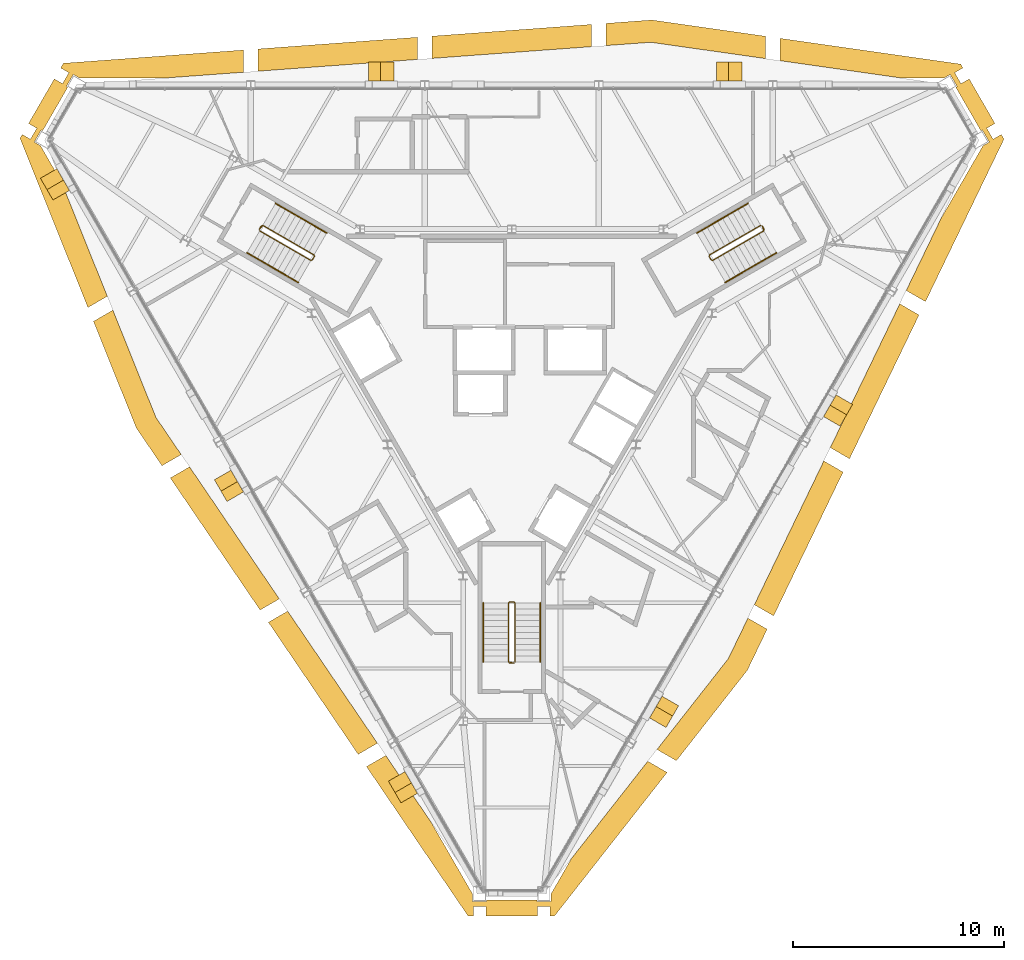
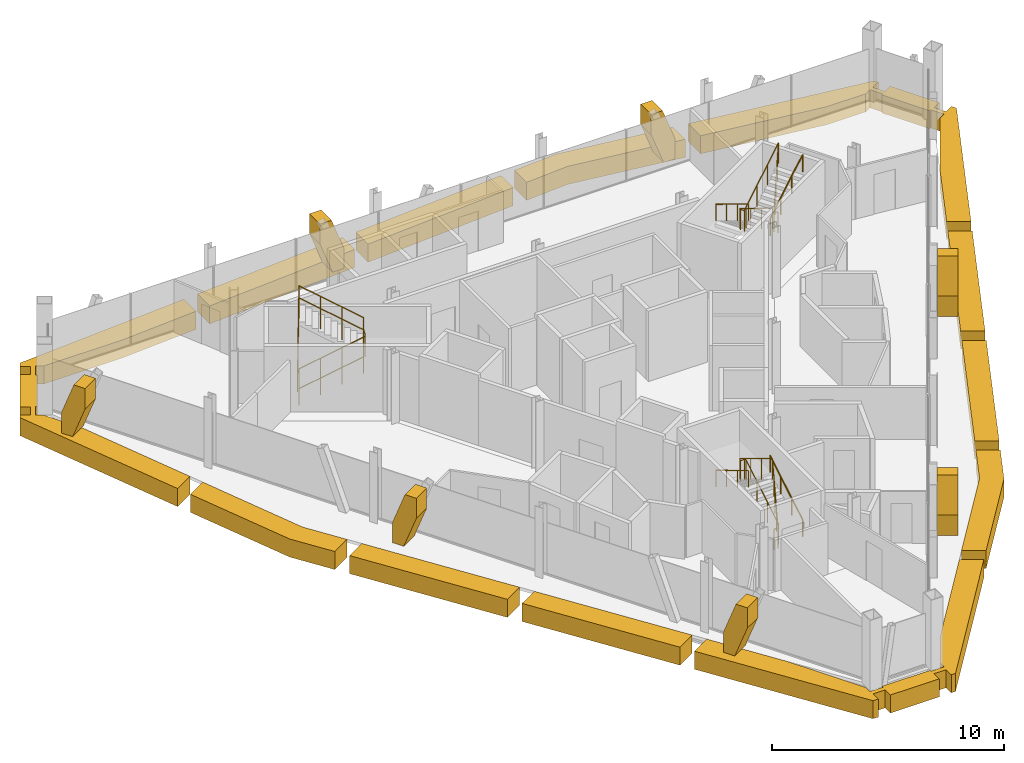
# One storey, part 11 of 11: 19 coverings, 9 railings.
"""IFC4 building model written with IfcOpenShell, lengths in metres."""

from ifc_helpers import new_model, si_unit, direction, frame, origin, origin_2d, place, context, subcontext, project, spatial, polyline, circle, outline, extrude, material, layer, layer_set, type_object, element, save


model = new_model("IFC4")

# Units and contexts
model_context = context("Model", 3, precision=1e-05, world=origin(), true_north=direction((0.0, 1.0)))
body_context = subcontext(model_context, "Body", "Model", "MODEL_VIEW")
ifc_project = project(units=[si_unit("LENGTHUNIT", "METRE"), si_unit("AREAUNIT", "SQUARE_METRE"), si_unit("VOLUMEUNIT", "CUBIC_METRE"), si_unit("PLANEANGLEUNIT", "RADIAN"), si_unit("MASSUNIT", "GRAM", prefix="KILO")], contexts=[model_context])

# Site, building, storey
site_placement = place(None, origin())
site = spatial("IfcSite", under=ifc_project, at=site_placement, CompositionType="ELEMENT")
building_placement = place(site_placement, origin())
building = spatial("IfcBuilding", under=site, at=building_placement, Name="Verrane Prism Tower", CompositionType="ELEMENT")
storey_placement = place(building_placement, frame((0.0, 0.0, 267.699951171875)))
storey = spatial("IfcBuildingStorey", under=building, at=storey_placement, Name="L67", CompositionType="ELEMENT", Elevation=267.699951171875)

# Railings
ifc_material_1 = material(Name="Steel A36 rail and posts, no infill", Category="steel")
railing_type_1 = type_object("IfcRailingType", Name="Stair guard 1100 steel rail and posts", PredefinedType="GUARDRAIL", material=ifc_material_1)
railing_1_placement = place(storey_placement, frame((11.78955078125, 6.97998046875, 0.168212890625)))
element("IfcRailing", 1, at=railing_1_placement, inside=storey, type_object=railing_type_1, Name="Stair 1 guard", PredefinedType="GUARDRAIL", context=body_context, shape_type="SweptSolid", body=[
    extrude(circle(Radius=0.02392578125, at=origin_2d()), frame((0.0, 0.0, 1.076171875), z_axis=(-0.742366697286, -0.42866220388, 0.514917859203), x_axis=(0.500049511043, -0.865996816683, 0.0)), (0.0, 0.0, 1.0), 3.266357421875),
    extrude(circle(Radius=0.02392578125, at=origin_2d()), frame((-2.4248046875, -1.400146484375, 2.7578125), z_axis=(-0.259601060869, -0.965715946433, 0.0), x_axis=(0.965715946433, -0.259601060869, 0.0)), (0.0, 0.0, 1.0), 0.070556640625),
    extrude(circle(Radius=0.02392578125, at=origin_2d()), frame((-2.443115234375, -1.46826171875, 2.7578125), z_axis=(0.499158860599, -0.866510491504, 0.0), x_axis=(0.866510491504, 0.499158860599, 0.0)), (0.0, 0.0, 1.0), 0.199951171875),
    extrude(circle(Radius=0.02392578125, at=origin_2d()), frame((-2.34326171875, -1.6416015625, 2.7578125), z_axis=(0.374585375571, -0.100335368456, 0.921747584887), x_axis=(0.258736085224, 0.965948051503, 0.0)), (0.0, 0.0, 1.0), 0.182373046875),
    extrude(circle(Radius=0.02392578125, at=origin_2d()), frame((-2.27490234375, -1.659912109375, 2.92626953125), z_axis=(0.742395268701, 0.428678701772, 0.514862928999), x_axis=(-0.500049511043, 0.865996816683, 0.0)), (0.0, 0.0, 1.0), 3.26611328125),
    extrude(circle(Radius=0.02392578125, at=origin_2d()), frame((0.14990234375, -0.259765625, 4.60791015625), z_axis=(-0.021986835041, 0.065104730107, -0.997636182785), x_axis=(-0.947430582667, -0.3199613899, 0.0)), (0.0, 0.0, 1.0), 3.708740234375),
    extrude(circle(Radius=0.02392578125, at=origin_2d()), frame((0.068359375, -0.018310546875, 0.90771484375), z_axis=(0.499158860599, -0.866510491504, 0.0), x_axis=(0.866510491504, 0.499158860599, 0.0)), (0.0, 0.0, 1.0), 0.199951171875),
    extrude(circle(Radius=0.02099609375, at=origin_2d()), origin(), (0.0, 0.0, 1.0), 1.052001953125),
    extrude(circle(Radius=0.02099609375, at=origin_2d()), frame((-0.808349609375, -0.466796875, 0.560546875)), (0.0, 0.0, 1.0), 1.052001953125),
    extrude(circle(Radius=0.02099609375, at=origin_2d()), frame((-1.616455078125, -0.933349609375, 1.121337890625)), (0.0, 0.0, 1.0), 1.052001953125),
    extrude(circle(Radius=0.02099609375, at=origin_2d()), frame((-2.4248046875, -1.400146484375, 1.681884765625)), (0.0, 0.0, 1.0), 1.052001953125),
    extrude(circle(Radius=0.02099609375, at=origin_2d()), frame((-2.443115234375, -1.46826171875, 1.681884765625)), (0.0, 0.0, 1.0), 1.052001953125),
    extrude(circle(Radius=0.02099609375, at=origin_2d()), frame((-2.34326171875, -1.6416015625, 1.681884765625)), (0.0, 0.0, 1.0), 1.052001953125),
    extrude(circle(Radius=0.02099609375, at=origin_2d()), frame((-2.27490234375, -1.659912109375, 1.85009765625)), (0.0, 0.0, 1.0), 1.052001953125),
    extrude(circle(Radius=0.02099609375, at=origin_2d()), frame((-1.466552734375, -1.193115234375, 2.41064453125)), (0.0, 0.0, 1.0), 1.052001953125),
    extrude(circle(Radius=0.02099609375, at=origin_2d()), frame((-0.658447265625, -0.7265625, 2.97119140625)), (0.0, 0.0, 1.0), 1.052001953125),
    extrude(circle(Radius=0.02099609375, at=origin_2d()), frame((0.14990234375, -0.259765625, 3.53173828125)), (0.0, 0.0, 1.0), 1.052001953125),
    extrude(circle(Radius=0.02099609375, at=origin_2d()), frame((0.12939453125, -0.199462890625, 2.606689453125)), (0.0, 0.0, 1.0), 1.052001953125),
    extrude(circle(Radius=0.02099609375, at=origin_2d()), frame((0.109130859375, -0.13916015625, 1.681640625)), (0.0, 0.0, 1.0), 1.052001953125),
    extrude(circle(Radius=0.02099609375, at=origin_2d()), frame((0.0888671875, -0.07861328125, 0.7568359375)), (0.0, 0.0, 1.0), 1.052001953125),
    extrude(circle(Radius=0.02099609375, at=origin_2d()), frame((0.068359375, -0.018310546875, -0.168212890625)), (0.0, 0.0, 1.0), 1.052001953125),
    extrude(circle(Radius=0.02099609375, at=origin_2d()), frame((0.168212890625, -0.191650390625, -0.168212890625)), (0.0, 0.0, 1.0), 1.052001953125),
])
railing_2_placement = place(storey_placement, frame((-11.939453125, 6.72021484375, 0.168212890625)))
element("IfcRailing", 2, at=railing_2_placement, inside=storey, type_object=railing_type_1, Name="Stair 2 guard", PredefinedType="GUARDRAIL", context=body_context, shape_type="SweptSolid", body=[
    extrude(circle(Radius=0.02392578125, at=origin_2d()), frame((0.0, 0.0, 1.076171875), z_axis=(0.742366697286, -0.42866220388, 0.514917859203), x_axis=(0.500049511043, 0.865996816683, 0.0)), (0.0, 0.0, 1.0), 3.266357421875),
    extrude(circle(Radius=0.02392578125, at=origin_2d()), frame((2.4248046875, -1.400146484375, 2.7578125), z_axis=(0.965948051503, 0.258736085224, 0.0), x_axis=(-0.258736085224, 0.965948051503, 0.0)), (0.0, 0.0, 1.0), 0.07080078125),
    extrude(circle(Radius=0.02392578125, at=origin_2d()), frame((2.4931640625, -1.3818359375, 2.7578125), z_axis=(0.499158860599, 0.866510491504, 0.0), x_axis=(-0.866510491504, 0.499158860599, 0.0)), (0.0, 0.0, 1.0), 0.199951171875),
    extrude(circle(Radius=0.02392578125, at=origin_2d()), frame((2.593017578125, -1.20849609375, 2.7578125), z_axis=(-0.100385596638, 0.373434419493, 0.922209014446), x_axis=(-0.965715946433, -0.259601060869, 0.0)), (0.0, 0.0, 1.0), 0.182373046875),
    extrude(circle(Radius=0.02392578125, at=origin_2d()), frame((2.57470703125, -1.140380859375, 2.92626953125), z_axis=(-0.742395268701, 0.428678701772, 0.514862928999), x_axis=(-0.500049511043, -0.865996816683, 0.0)), (0.0, 0.0, 1.0), 3.26611328125),
    extrude(circle(Radius=0.02392578125, at=origin_2d()), frame((0.14990234375, 0.259765625, 4.60791015625), z_axis=(-0.04535595117, -0.051675503147, -0.99763343973), x_axis=(0.751567565678, -0.659656118156, 0.0)), (0.0, 0.0, 1.0), 3.708740234375),
    extrude(circle(Radius=0.02392578125, at=origin_2d()), frame((-0.018310546875, 0.068115234375, 0.90771484375), z_axis=(0.499158860599, 0.866510491504, 0.0), x_axis=(-0.866510491504, 0.499158860599, 0.0)), (0.0, 0.0, 1.0), 0.199951171875),
    extrude(circle(Radius=0.02099609375, at=origin_2d()), origin(), (0.0, 0.0, 1.0), 1.052001953125),
    extrude(circle(Radius=0.02099609375, at=origin_2d()), frame((0.808349609375, -0.466796875, 0.560546875)), (0.0, 0.0, 1.0), 1.052001953125),
    extrude(circle(Radius=0.02099609375, at=origin_2d()), frame((1.616455078125, -0.933349609375, 1.121337890625)), (0.0, 0.0, 1.0), 1.052001953125),
    extrude(circle(Radius=0.02099609375, at=origin_2d()), frame((2.4248046875, -1.400146484375, 1.681884765625)), (0.0, 0.0, 1.0), 1.052001953125),
    extrude(circle(Radius=0.02099609375, at=origin_2d()), frame((2.4931640625, -1.3818359375, 1.681884765625)), (0.0, 0.0, 1.0), 1.052001953125),
    extrude(circle(Radius=0.02099609375, at=origin_2d()), frame((2.593017578125, -1.20849609375, 1.681884765625)), (0.0, 0.0, 1.0), 1.052001953125),
    extrude(circle(Radius=0.02099609375, at=origin_2d()), frame((2.57470703125, -1.140380859375, 1.85009765625)), (0.0, 0.0, 1.0), 1.052001953125),
    extrude(circle(Radius=0.02099609375, at=origin_2d()), frame((1.766357421875, -0.673583984375, 2.41064453125)), (0.0, 0.0, 1.0), 1.052001953125),
    extrude(circle(Radius=0.02099609375, at=origin_2d()), frame((0.958251953125, -0.20703125, 2.97119140625)), (0.0, 0.0, 1.0), 1.052001953125),
    extrude(circle(Radius=0.02099609375, at=origin_2d()), frame((0.14990234375, 0.259765625, 3.53173828125)), (0.0, 0.0, 1.0), 1.052001953125),
    extrude(circle(Radius=0.02099609375, at=origin_2d()), frame((0.10791015625, 0.2119140625, 2.606689453125)), (0.0, 0.0, 1.0), 1.052001953125),
    extrude(circle(Radius=0.02099609375, at=origin_2d()), frame((0.06591796875, 0.1640625, 1.681640625)), (0.0, 0.0, 1.0), 1.052001953125),
    extrude(circle(Radius=0.02099609375, at=origin_2d()), frame((0.023681640625, 0.115966796875, 0.7568359375)), (0.0, 0.0, 1.0), 1.052001953125),
    extrude(circle(Radius=0.02099609375, at=origin_2d()), frame((-0.018310546875, 0.068115234375, -0.168212890625)), (0.0, 0.0, 1.0), 1.052001953125),
    extrude(circle(Radius=0.02099609375, at=origin_2d()), frame((0.08154296875, 0.241455078125, -0.168212890625)), (0.0, 0.0, 1.0), 1.052001953125),
])
railing_3_placement = place(storey_placement, frame((0.14990234375, -13.699951171875, 0.168212890625)))
element("IfcRailing", 3, at=railing_3_placement, inside=storey, type_object=railing_type_1, Name="Stair 3 guard", PredefinedType="GUARDRAIL", context=body_context, shape_type="SweptSolid", body=[
    extrude(circle(Radius=0.02392578125, at=origin_2d()), frame((0.0, 0.0, 1.076171875), z_axis=(0.0, 0.857242210791, 0.514913383045), x_axis=(-1.0, 0.0, 0.0)), (0.0, 0.0, 1.0), 3.266357421875),
    extrude(circle(Radius=0.02392578125, at=origin_2d()), frame((0.0, 2.800048828125, 2.7578125), z_axis=(-0.707106781187, 0.707106781187, 0.0), x_axis=(-0.707106781187, -0.707106781187, 0.0)), (0.0, 0.0, 1.0), 0.0703125),
    extrude(circle(Radius=0.02392578125, at=origin_2d()), frame((-0.0498046875, 2.849853515625, 2.7578125), z_axis=(-1.0, 0.0, 0.0), x_axis=(0.0, -1.0, 0.0)), (0.0, 0.0, 1.0), 0.2001953125),
    extrude(circle(Radius=0.02392578125, at=origin_2d()), frame((-0.25, 2.849853515625, 2.7578125), z_axis=(-0.273106073848, -0.273106073848, 0.922402376869), x_axis=(0.707106781187, -0.707106781187, 0.0)), (0.0, 0.0, 1.0), 0.182373046875),
    extrude(circle(Radius=0.02392578125, at=origin_2d()), frame((-0.2998046875, 2.800048828125, 2.92626953125), z_axis=(0.0, -0.857275202839, 0.514858452973), x_axis=(1.0, 0.0, 0.0)), (0.0, 0.0, 1.0), 3.26611328125),
    extrude(circle(Radius=0.02392578125, at=origin_2d()), frame((-0.2998046875, 0.0, 4.60791015625), z_axis=(0.067408604812, -0.013494886706, -0.997634185476), x_axis=(0.196300278283, 0.98054382908, 0.0)), (0.0, 0.0, 1.0), 3.708740234375),
    extrude(circle(Radius=0.02392578125, at=origin_2d()), frame((-0.0498046875, -0.050048828125, 0.90771484375), z_axis=(-1.0, 0.0, 0.0), x_axis=(0.0, -1.0, 0.0)), (0.0, 0.0, 1.0), 0.2001953125),
    extrude(circle(Radius=0.02099609375, at=origin_2d()), origin(), (0.0, 0.0, 1.0), 1.052001953125),
    extrude(circle(Radius=0.02099609375, at=origin_2d()), frame((0.0, 0.933349609375, 0.560546875)), (0.0, 0.0, 1.0), 1.052001953125),
    extrude(circle(Radius=0.02099609375, at=origin_2d()), frame((0.0, 1.86669921875, 1.121337890625)), (0.0, 0.0, 1.0), 1.052001953125),
    extrude(circle(Radius=0.02099609375, at=origin_2d()), frame((0.0, 2.800048828125, 1.681884765625)), (0.0, 0.0, 1.0), 1.052001953125),
    extrude(circle(Radius=0.02099609375, at=origin_2d()), frame((-0.0498046875, 2.849853515625, 1.681884765625)), (0.0, 0.0, 1.0), 1.052001953125),
    extrude(circle(Radius=0.02099609375, at=origin_2d()), frame((-0.25, 2.849853515625, 1.681884765625)), (0.0, 0.0, 1.0), 1.052001953125),
    extrude(circle(Radius=0.02099609375, at=origin_2d()), frame((-0.2998046875, 2.800048828125, 1.85009765625)), (0.0, 0.0, 1.0), 1.052001953125),
    extrude(circle(Radius=0.02099609375, at=origin_2d()), frame((-0.2998046875, 1.86669921875, 2.41064453125)), (0.0, 0.0, 1.0), 1.052001953125),
    extrude(circle(Radius=0.02099609375, at=origin_2d()), frame((-0.2998046875, 0.933349609375, 2.97119140625)), (0.0, 0.0, 1.0), 1.052001953125),
    extrude(circle(Radius=0.02099609375, at=origin_2d()), frame((-0.2998046875, 0.0, 3.53173828125)), (0.0, 0.0, 1.0), 1.052001953125),
    extrude(circle(Radius=0.02099609375, at=origin_2d()), frame((-0.2373046875, -0.012451171875, 2.606689453125)), (0.0, 0.0, 1.0), 1.052001953125),
    extrude(circle(Radius=0.02099609375, at=origin_2d()), frame((-0.1748046875, -0.02490234375, 1.681640625)), (0.0, 0.0, 1.0), 1.052001953125),
    extrude(circle(Radius=0.02099609375, at=origin_2d()), frame((-0.1123046875, -0.03759765625, 0.7568359375)), (0.0, 0.0, 1.0), 1.052001953125),
    extrude(circle(Radius=0.02099609375, at=origin_2d()), frame((-0.0498046875, -0.050048828125, -0.168212890625)), (0.0, 0.0, 1.0), 1.052001953125),
    extrude(circle(Radius=0.02099609375, at=origin_2d()), frame((-0.25, -0.050048828125, -0.168212890625)), (0.0, 0.0, 1.0), 1.052001953125),
])
ifc_material_2 = material(Name="Steel A36 tube", Category="steel")
railing_type_2 = type_object("IfcRailingType", Name="Stair handrail 900 steel tube", PredefinedType="HANDRAIL", material=ifc_material_2)
railing_4_placement = place(storey_placement, frame((11.189453125, 8.01904296875, 0.168212890625)))
element("IfcRailing", 4, at=railing_4_placement, inside=storey, type_object=railing_type_2, Name="Stair 1 handrail", PredefinedType="HANDRAIL", context=body_context, shape_type="SweptSolid", body=[
    extrude(circle(Radius=0.02392578125, at=origin_2d()), frame((0.0, 0.0, 0.8759765625), z_axis=(-0.742390482028, -0.42860119049, 0.514934356695), x_axis=(0.49998411664, -0.866034573852, 0.0)), (0.0, 0.0, 1.0), 3.26611328125),
    extrude(circle(Radius=0.02099609375, at=origin_2d()), origin(), (0.0, 0.0, 1.0), 0.851806640625),
    extrude(circle(Radius=0.02099609375, at=origin_2d()), frame((-0.808349609375, -0.466552734375, 0.560546875)), (0.0, 0.0, 1.0), 0.851806640625),
    extrude(circle(Radius=0.02099609375, at=origin_2d()), frame((-1.616455078125, -0.933349609375, 1.121337890625)), (0.0, 0.0, 1.0), 0.851806640625),
    extrude(circle(Radius=0.02099609375, at=origin_2d()), frame((-2.4248046875, -1.39990234375, 1.681884765625)), (0.0, 0.0, 1.0), 0.851806640625),
])
railing_5_placement = place(storey_placement, frame((10.11474609375, 4.28076171875, 2.018310546875)))
element("IfcRailing", 5, at=railing_5_placement, inside=storey, type_object=railing_type_2, Name="Stair 1 handrail", PredefinedType="HANDRAIL", context=body_context, shape_type="SweptSolid", body=[
    extrude(circle(Radius=0.02392578125, at=origin_2d()), frame((0.0, 0.0, 0.8759765625), z_axis=(0.742395268701, 0.428678701772, 0.514862928999), x_axis=(-0.500049511043, 0.865996816683, 0.0)), (0.0, 0.0, 1.0), 3.26611328125),
    extrude(circle(Radius=0.02099609375, at=origin_2d()), origin(), (0.0, 0.0, 1.0), 0.851806640625),
    extrude(circle(Radius=0.02099609375, at=origin_2d()), frame((0.808349609375, 0.466796875, 0.560546875)), (0.0, 0.0, 1.0), 0.851806640625),
    extrude(circle(Radius=0.02099609375, at=origin_2d()), frame((1.616455078125, 0.933349609375, 1.12109375)), (0.0, 0.0, 1.0), 0.851806640625),
    extrude(circle(Radius=0.02099609375, at=origin_2d()), frame((2.4248046875, 1.400146484375, 1.681640625)), (0.0, 0.0, 1.0), 0.851806640625),
])
railing_6_placement = place(storey_placement, frame((-12.53955078125, 5.680908203125, 0.168212890625)))
element("IfcRailing", 6, at=railing_6_placement, inside=storey, type_object=railing_type_2, Name="Stair 2 handrail", PredefinedType="HANDRAIL", context=body_context, shape_type="SweptSolid", body=[
    extrude(circle(Radius=0.02392578125, at=origin_2d()), frame((0.0, 0.0, 0.8759765625), z_axis=(0.742366697286, -0.42866220388, 0.514917859203), x_axis=(0.500049511043, 0.865996816683, 0.0)), (0.0, 0.0, 1.0), 3.266357421875),
    extrude(circle(Radius=0.02099609375, at=origin_2d()), origin(), (0.0, 0.0, 1.0), 0.851806640625),
    extrude(circle(Radius=0.02099609375, at=origin_2d()), frame((0.808349609375, -0.466796875, 0.560546875)), (0.0, 0.0, 1.0), 0.851806640625),
    extrude(circle(Radius=0.02099609375, at=origin_2d()), frame((1.616455078125, -0.933349609375, 1.121337890625)), (0.0, 0.0, 1.0), 0.851806640625),
    extrude(circle(Radius=0.02099609375, at=origin_2d()), frame((2.4248046875, -1.400146484375, 1.681884765625)), (0.0, 0.0, 1.0), 0.851806640625),
])
railing_7_placement = place(storey_placement, frame((-8.7646484375, 6.619140625, 2.018310546875)))
element("IfcRailing", 7, at=railing_7_placement, inside=storey, type_object=railing_type_2, Name="Stair 2 handrail", PredefinedType="HANDRAIL", context=body_context, shape_type="SweptSolid", body=[
    extrude(circle(Radius=0.02392578125, at=origin_2d()), frame((0.0, 0.0, 0.8759765625), z_axis=(-0.74241905619, 0.428617687091, 0.514879426), x_axis=(-0.49998411664, -0.866034573852, 0.0)), (0.0, 0.0, 1.0), 3.26611328125),
    extrude(circle(Radius=0.02099609375, at=origin_2d()), origin(), (0.0, 0.0, 1.0), 0.851806640625),
    extrude(circle(Radius=0.02099609375, at=origin_2d()), frame((-0.808349609375, 0.466552734375, 0.560546875)), (0.0, 0.0, 1.0), 0.851806640625),
    extrude(circle(Radius=0.02099609375, at=origin_2d()), frame((-1.616455078125, 0.933349609375, 1.12109375)), (0.0, 0.0, 1.0), 0.851806640625),
    extrude(circle(Radius=0.02099609375, at=origin_2d()), frame((-2.4248046875, 1.39990234375, 1.681640625)), (0.0, 0.0, 1.0), 0.851806640625),
])
railing_8_placement = place(storey_placement, frame((1.35009765625, -13.699951171875, 0.168212890625)))
element("IfcRailing", 8, at=railing_8_placement, inside=storey, type_object=railing_type_2, Name="Stair 3 handrail", PredefinedType="HANDRAIL", context=body_context, shape_type="SweptSolid", body=[
    extrude(circle(Radius=0.02392578125, at=origin_2d()), frame((0.0, 0.0, 0.8759765625), z_axis=(0.0, 0.857242210791, 0.514913383045), x_axis=(-1.0, 0.0, 0.0)), (0.0, 0.0, 1.0), 3.266357421875),
    extrude(circle(Radius=0.02099609375, at=origin_2d()), origin(), (0.0, 0.0, 1.0), 0.851806640625),
    extrude(circle(Radius=0.02099609375, at=origin_2d()), frame((0.0, 0.933349609375, 0.560546875)), (0.0, 0.0, 1.0), 0.851806640625),
    extrude(circle(Radius=0.02099609375, at=origin_2d()), frame((0.0, 1.86669921875, 1.121337890625)), (0.0, 0.0, 1.0), 0.851806640625),
    extrude(circle(Radius=0.02099609375, at=origin_2d()), frame((0.0, 2.800048828125, 1.681884765625)), (0.0, 0.0, 1.0), 0.851806640625),
])
railing_9_placement = place(storey_placement, frame((-1.35009765625, -10.89990234375, 2.018310546875)))
element("IfcRailing", 9, at=railing_9_placement, inside=storey, type_object=railing_type_2, Name="Stair 3 handrail", PredefinedType="HANDRAIL", context=body_context, shape_type="SweptSolid", body=[
    extrude(circle(Radius=0.02392578125, at=origin_2d()), frame((0.0, 0.0, 0.8759765625), z_axis=(0.0, -0.857275202839, 0.514858452973), x_axis=(1.0, 0.0, 0.0)), (0.0, 0.0, 1.0), 3.26611328125),
    extrude(circle(Radius=0.02099609375, at=origin_2d()), origin(), (0.0, 0.0, 1.0), 0.851806640625),
    extrude(circle(Radius=0.02099609375, at=origin_2d()), frame((0.0, -0.933349609375, 0.560546875)), (0.0, 0.0, 1.0), 0.851806640625),
    extrude(circle(Radius=0.02099609375, at=origin_2d()), frame((0.0, -1.86669921875, 1.12109375)), (0.0, 0.0, 1.0), 0.851806640625),
    extrude(circle(Radius=0.02099609375, at=origin_2d()), frame((0.0, -2.800048828125, 1.681640625)), (0.0, 0.0, 1.0), 0.851806640625),
])

# Coverings
ifc_material_3 = material(Name="Warm limestone cladding", Category="masonry")
ifc_layer_1 = layer(ifc_material_3, 0.89990234375)
ifc_layer_set_1 = layer_set([ifc_layer_1], Name="Stone brace fin 900")
covering_type_1 = type_object("IfcCoveringType", Name="Stone brace fin 900", PredefinedType="CLADDING", material=ifc_layer_set_1)
for number, where, z_axis, x_axis, name in (
    (10, (10.893310546875, 14.27783203125, 0.0), (0.0, 0.0, 1.0), (-1.0, 0.0, 0.0), "Stone brace fin N2 L67"),
    (11, (-5.5869140625, 14.27783203125, 0.0), (0.0, 0.0, 1.0), (-1.0, 0.0, 0.0), "Stone brace fin N4 L67"),
):
    element("IfcCovering", number, at=place(storey_placement, frame(where, z_axis=z_axis, x_axis=x_axis)), inside=storey, type_object=covering_type_1, Name=name, PredefinedType="CLADDING", context=body_context, shape_type="SweptSolid", body=[
        extrude(outline(polyline([(1.186279296875, 2.75), (0.62109375, 2.75), (0.0, 1.076416015625), (0.0, 0.0), (0.560302734375, 0.0), (1.186279296875, 1.6865234375), (1.186279296875, 2.75)])), frame((0.0, 0.449951171875, 0.0), z_axis=(0.0, -1.0, 0.0), x_axis=(1.0, 0.0, 0.0)), (0.0, 0.0, 1.0), 0.89990234375),
    ])
covering_1_placement = place(storey_placement, frame((-21.930419921875, 9.435302734375, 0.0), z_axis=(0.0, 0.0, 1.0), x_axis=(0.499811481546, -0.86613421761, 0.0)))
element("IfcCovering", 12, at=covering_1_placement, inside=storey, type_object=covering_type_1, Name="Stone brace fin SW1 L67", PredefinedType="CLADDING", context=body_context, shape_type="SweptSolid", body=[
    extrude(outline(polyline([(1.18701171875, 2.75), (0.62158203125, 2.75), (0.0, 1.075927734375), (0.0, 0.0), (0.560546875, 0.0), (1.18701171875, 1.686767578125), (1.18701171875, 2.75)])), frame((0.0, 0.449951171875, 0.0), z_axis=(0.0, -1.0, 0.0), x_axis=(1.0, 0.0, 0.0)), (0.0, 0.0, 1.0), 0.89990234375),
])
covering_2_placement = place(storey_placement, frame((-13.690185546875, -4.84326171875, 0.0), z_axis=(0.0, 0.0, 1.0), x_axis=(0.500346205489, -0.865825429664, 0.0)))
element("IfcCovering", 13, at=covering_2_placement, inside=storey, type_object=covering_type_1, Name="Stone brace fin SW3 L67", PredefinedType="CLADDING", context=body_context, shape_type="SweptSolid", body=[
    extrude(outline(polyline([(1.185791015625, 2.75), (0.62060546875, 2.75), (0.0, 1.0771484375), (0.0, 0.0), (0.560302734375, 0.0), (1.185791015625, 1.685791015625), (1.185791015625, 2.75)])), frame((0.0, 0.449951171875, 0.0), z_axis=(0.0, -1.0, 0.0), x_axis=(1.0, 0.0, 0.0)), (0.0, 0.0, 1.0), 0.89990234375),
])
for number, where, z_axis, x_axis, name in (
    (14, (-5.450439453125, -19.11474609375, 0.0), (0.0, 0.0, 1.0), (0.499811481546, -0.86613421761, 0.0), "Stone brace fin SW5 L67"),
    (15, (6.917236328125, -16.57275390625, 0.0), (0.0, 0.0, 1.0), (0.499900536046, 0.86608282171, 0.0), "Stone brace fin SE2 L67"),
    (16, (15.1572265625, -2.302734375, 0.0), (0.0, 0.0, 1.0), (0.499900536046, 0.86608282171, 0.0), "Stone brace fin SE4 L67"),
):
    element("IfcCovering", number, at=place(storey_placement, frame(where, z_axis=z_axis, x_axis=x_axis)), inside=storey, type_object=covering_type_1, Name=name, PredefinedType="CLADDING", context=body_context, shape_type="SweptSolid", body=[
        extrude(outline(polyline([(1.18701171875, 2.75), (0.62158203125, 2.75), (0.0, 1.075927734375), (0.0, 0.0), (0.560546875, 0.0), (1.18701171875, 1.686767578125), (1.18701171875, 2.75)])), frame((0.0, 0.449951171875, 0.0), z_axis=(0.0, -1.0, 0.0), x_axis=(1.0, 0.0, 0.0)), (0.0, 0.0, 1.0), 0.89990234375),
    ])
ifc_material_4 = material(Name="Warm limestone cladding", Category="masonry")
ifc_layer_2 = layer(ifc_material_4, 0.449951171875)
ifc_layer_set_2 = layer_set([ifc_layer_2], Name="Stone spandrel band 450")
covering_type_2 = type_object("IfcCoveringType", Name="Stone spandrel band 450", PredefinedType="CLADDING", material=ifc_layer_set_2)
covering_3_placement = place(storey_placement, frame((0.0, 0.0, -0.949951171875)))
element("IfcCovering", 17, at=covering_3_placement, inside=storey, type_object=covering_type_2, Name="Stone spandrel band L67 part 1", PredefinedType="CLADDING", context=body_context, shape_type="SweptSolid", body=[
    extrude(outline(polyline([(-1.08349609375, -24.968994140625), (-1.18994140625, -24.968994140625), (-1.18994140625, -25.050048828125), (-1.85009765625, -25.050048828125), (-1.85009765625, -24.69580078125), (-3.818603515625, -21.285888671875), (-5.967529296875, -18.124755859375), (-6.879150390625, -18.651123046875), (-2.074951171875, -25.718994140625), (-1.819091796875, -25.718994140625), (-1.819091796875, -25.26904296875), (-1.218994140625, -25.26904296875), (-1.218994140625, -25.718994140625), (1.218994140625, -25.718994140625), (1.218994140625, -25.26904296875), (1.819091796875, -25.26904296875), (1.819091796875, -25.718994140625), (2.02978515625, -25.718994140625), (7.35888671875, -18.927978515625), (6.4404296875, -18.397705078125), (2.82958984375, -22.998779296875), (1.85009765625, -24.69580078125), (1.85009765625, -25.050048828125), (1.18994140625, -25.050048828125), (1.18994140625, -24.968994140625), (-0.419189453125, -24.968994140625), (-0.419189453125, -24.969970703125), (-0.466064453125, -24.969970703125), (-0.466064453125, -24.968994140625), (-0.547119140625, -24.968994140625), (-0.547119140625, -24.969970703125), (-0.57666015625, -24.969970703125), (-0.57666015625, -24.968994140625), (-0.92578125, -24.968994140625), (-0.92578125, -24.969970703125), (-0.972900390625, -24.969970703125), (-0.972900390625, -24.968994140625), (-1.053955078125, -24.968994140625), (-1.053955078125, -24.969970703125), (-1.08349609375, -24.969970703125), (-1.08349609375, -24.968994140625)])), origin(), (0.0, 0.0, 1.0), 0.949951171875),
])
covering_4_placement = place(storey_placement, frame((0.0, 0.0, -0.949951171875)))
element("IfcCovering", 18, at=covering_4_placement, inside=storey, type_object=covering_type_2, Name="Stone spandrel band L67 part 2", PredefinedType="CLADDING", context=body_context, shape_type="SweptSolid", body=[
    extrude(outline(polyline([(12.712646484375, 14.776611328125), (18.502685546875, 13.949951171875), (20.459716796875, 13.949951171875), (20.76416015625, 14.125732421875), (21.093994140625, 13.55419921875), (21.0283203125, 13.51611328125), (22.217041015625, 11.45703125), (22.2841796875, 11.495849609375), (22.614013671875, 10.92431640625), (22.315673828125, 10.751953125), (20.343505859375, 7.3359375), (18.68017578125, 3.894287109375), (19.592041015625, 3.367919921875), (23.310791015625, 11.0625), (23.182861328125, 11.2841796875), (22.793212890625, 11.05908203125), (22.4931640625, 11.578857421875), (22.8828125, 11.8037109375), (21.663818359375, 13.915283203125), (21.274169921875, 13.690185546875), (20.97412109375, 14.209716796875), (21.36376953125, 14.434814453125), (21.258544921875, 14.6171875), (12.712646484375, 15.837158203125), (12.712646484375, 14.776611328125)])), origin(), (0.0, 0.0, 1.0), 0.949951171875),
])
covering_5_placement = place(storey_placement, frame((0.0, 0.0, -0.949951171875)))
element("IfcCovering", 19, at=covering_5_placement, inside=storey, type_object=covering_type_2, Name="Stone spandrel band L67 part 3", PredefinedType="CLADDING", context=body_context, shape_type="SweptSolid", body=[
    extrude(outline(polyline([(-19.1533203125, 3.621337890625), (-21.33251953125, 9.048828125), (-22.315673828125, 10.751953125), (-22.614013671875, 10.92431640625), (-22.2841796875, 11.495849609375), (-22.217041015625, 11.45703125), (-21.0283203125, 13.51611328125), (-21.093994140625, 13.55419921875), (-20.76416015625, 14.125732421875), (-20.459716796875, 13.949951171875), (-16.52490234375, 13.949951171875), (-12.712646484375, 14.230224609375), (-12.712646484375, 15.283203125), (-21.23583984375, 14.656494140625), (-21.36376953125, 14.434814453125), (-20.97412109375, 14.209716796875), (-21.274169921875, 13.690185546875), (-21.663818359375, 13.915283203125), (-22.8828125, 11.8037109375), (-22.4931640625, 11.578857421875), (-22.793212890625, 11.05908203125), (-23.182861328125, 11.2841796875), (-23.2880859375, 11.101806640625), (-20.07177734375, 3.0908203125), (-19.1533203125, 3.621337890625)])), origin(), (0.0, 0.0, 1.0), 0.949951171875),
])
covering_6_placement = place(storey_placement, frame((0.0, 0.0, -0.949951171875)))
element("IfcCovering", 20, at=covering_6_placement, inside=storey, type_object=covering_type_2, Name="Stone spandrel band L67 part 4", PredefinedType="CLADDING", context=body_context, shape_type="SweptSolid", body=[
    extrude(outline(polyline([(-15.653564453125, -3.875), (-16.85009765625, -2.114990234375), (-18.8896484375, 2.965087890625), (-19.80810546875, 2.434814453125), (-17.781982421875, -2.611328125), (-16.565185546875, -4.401611328125), (-15.653564453125, -3.875)])), origin(), (0.0, 0.0, 1.0), 0.949951171875),
])
covering_7_placement = place(storey_placement, frame((0.0, 0.0, -0.949951171875)))
element("IfcCovering", 21, at=covering_7_placement, inside=storey, type_object=covering_type_2, Name="Stone spandrel band L67 part 5", PredefinedType="CLADDING", context=body_context, shape_type="SweptSolid", body=[
    extrude(outline(polyline([(12.094482421875, -12.145263671875), (11.1826171875, -11.618896484375), (10.256591796875, -13.53515625), (6.876953125, -17.841552734375), (7.795654296875, -18.371826171875), (11.152587890625, -14.093994140625), (12.094482421875, -12.145263671875)])), origin(), (0.0, 0.0, 1.0), 0.949951171875),
])
covering_8_placement = place(storey_placement, frame((0.0, 0.0, -0.949951171875)))
element("IfcCovering", 22, at=covering_8_placement, inside=storey, type_object=covering_type_2, Name="Stone spandrel band L67 part 6", PredefinedType="CLADDING", context=body_context, shape_type="SweptSolid", body=[
    extrude(outline(polyline([(4.470947265625, 16.546875), (4.470947265625, 15.493896484375), (6.593505859375, 15.64990234375), (12.0126953125, 14.87646484375), (12.0126953125, 15.93701171875), (6.62939453125, 16.70556640625), (4.470947265625, 16.546875)])), origin(), (0.0, 0.0, 1.0), 0.949951171875),
])
covering_9_placement = place(storey_placement, frame((0.0, 0.0, -0.949951171875)))
element("IfcCovering", 23, at=covering_9_placement, inside=storey, type_object=covering_type_2, Name="Stone spandrel band L67 part 7", PredefinedType="CLADDING", context=body_context, shape_type="SweptSolid", body=[
    extrude(outline(polyline([(-11.919677734375, -11.236083984375), (-11.0078125, -10.709716796875), (-15.259033203125, -4.45556640625), (-16.1708984375, -4.98193359375), (-11.919677734375, -11.236083984375)])), origin(), (0.0, 0.0, 1.0), 0.949951171875),
])
covering_10_placement = place(storey_placement, frame((0.0, 0.0, -0.949951171875)))
element("IfcCovering", 24, at=covering_10_placement, inside=storey, type_object=covering_type_2, Name="Stone spandrel band L67 part 8", PredefinedType="CLADDING", context=body_context, shape_type="SweptSolid", body=[
    extrude(outline(polyline([(-6.362060546875, -17.544189453125), (-10.61328125, -11.2900390625), (-11.52490234375, -11.81640625), (-7.273681640625, -18.070556640625), (-6.362060546875, -17.544189453125)])), origin(), (0.0, 0.0, 1.0), 0.949951171875),
])
covering_11_placement = place(storey_placement, frame((0.0, 0.0, -0.949951171875)))
element("IfcCovering", 25, at=covering_11_placement, inside=storey, type_object=covering_type_2, Name="Stone spandrel band L67 part 9", PredefinedType="CLADDING", context=body_context, shape_type="SweptSolid", body=[
    extrude(outline(polyline([(14.77880859375, -4.17822265625), (11.488037109375, -10.98681640625), (12.39990234375, -11.51318359375), (15.6904296875, -4.70458984375), (14.77880859375, -4.17822265625)])), origin(), (0.0, 0.0, 1.0), 0.949951171875),
])
covering_12_placement = place(storey_placement, frame((0.0, 0.0, -0.949951171875)))
element("IfcCovering", 26, at=covering_12_placement, inside=storey, type_object=covering_type_2, Name="Stone spandrel band L67 part 10", PredefinedType="CLADDING", context=body_context, shape_type="SweptSolid", body=[
    extrude(outline(polyline([(19.28662109375, 2.736083984375), (18.374755859375, 3.262451171875), (15.084228515625, -3.54638671875), (15.995849609375, -4.07275390625), (19.28662109375, 2.736083984375)])), origin(), (0.0, 0.0, 1.0), 0.949951171875),
])
covering_13_placement = place(storey_placement, frame((0.0, 0.0, -0.949951171875)))
element("IfcCovering", 27, at=covering_13_placement, inside=storey, type_object=covering_type_2, Name="Stone spandrel band L67 part 11", PredefinedType="CLADDING", context=body_context, shape_type="SweptSolid", body=[
    extrude(outline(polyline([(-3.77099609375, 14.887939453125), (3.77099609375, 15.4423828125), (3.77099609375, 16.495361328125), (-3.77099609375, 15.940673828125), (-3.77099609375, 14.887939453125)])), origin(), (0.0, 0.0, 1.0), 0.949951171875),
])
covering_14_placement = place(storey_placement, frame((0.0, 0.0, -0.949951171875)))
element("IfcCovering", 28, at=covering_14_placement, inside=storey, type_object=covering_type_2, Name="Stone spandrel band L67 part 12", PredefinedType="CLADDING", context=body_context, shape_type="SweptSolid", body=[
    extrude(outline(polyline([(-12.0126953125, 14.28173828125), (-4.470947265625, 14.83642578125), (-4.470947265625, 15.88916015625), (-12.0126953125, 15.334716796875), (-12.0126953125, 14.28173828125)])), origin(), (0.0, 0.0, 1.0), 0.949951171875),
])

save(model, "model.ifc")
